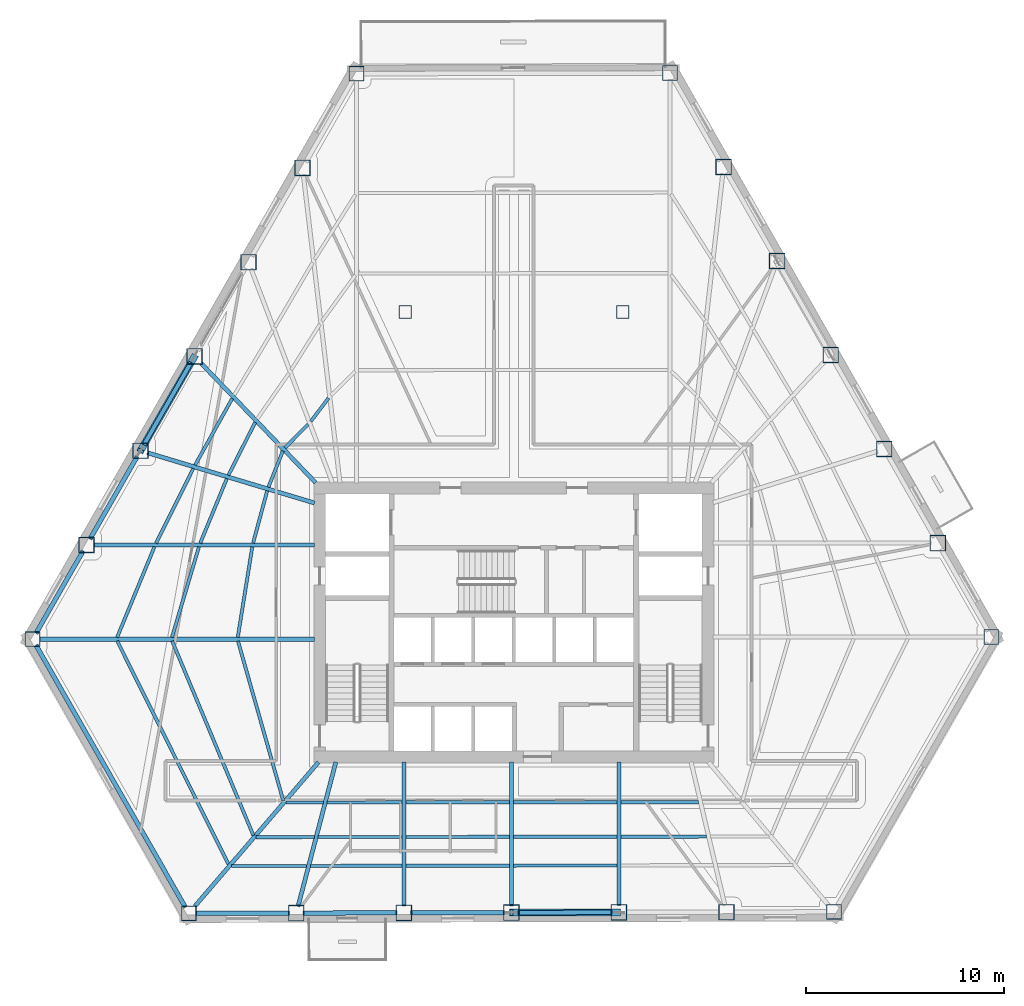
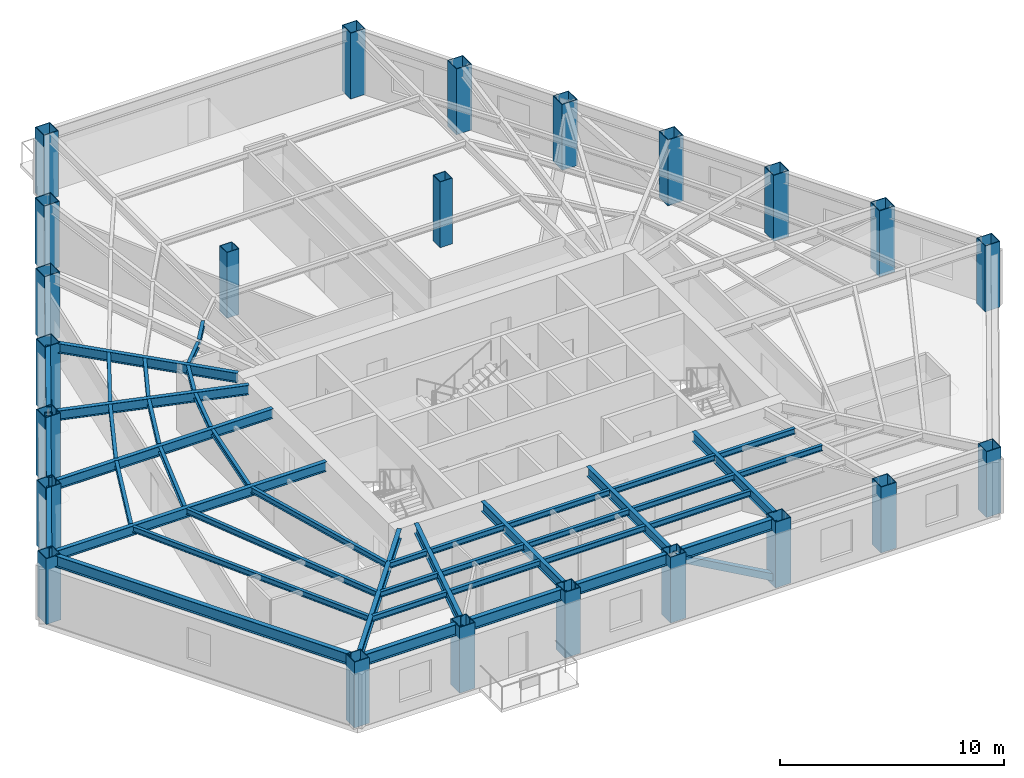
# One storey, part 1 of 14: 45 beams, 23 columns, 2 members.
"""IFC4 building model written with IfcOpenShell, lengths in metres."""

from ifc_helpers import new_model, si_unit, direction, frame, origin, origin_2d, place, context, subcontext, project, spatial, hollow_rectangle, i_section, extrude, material, material_profile, profile_set, type_object, element, save


model = new_model("IFC4")

# Units and contexts
model_context = context("Model", 3, precision=1e-05, world=origin(), true_north=direction((0.0, 1.0)))
body_context = subcontext(model_context, "Body", "Model", "MODEL_VIEW")
ifc_project = project(units=[si_unit("LENGTHUNIT", "METRE"), si_unit("AREAUNIT", "SQUARE_METRE"), si_unit("VOLUMEUNIT", "CUBIC_METRE"), si_unit("PLANEANGLEUNIT", "RADIAN"), si_unit("MASSUNIT", "GRAM", prefix="KILO")], contexts=[model_context])

# Site, building, storey
site_placement = place(None, origin())
site = spatial("IfcSite", under=ifc_project, at=site_placement, CompositionType="ELEMENT")
building_placement = place(site_placement, origin())
building = spatial("IfcBuilding", under=site, at=building_placement, Name="Kavelnor Concourse Tower", CompositionType="ELEMENT")
storey_placement = place(building_placement, frame((0.0, 0.0, 17.550048828125)))
storey = spatial("IfcBuildingStorey", under=building, at=storey_placement, Name="L04", CompositionType="ELEMENT", Elevation=17.550048828125)

# Columns
ifc_material = material(Name="Steel Grade 350", Category="steel")
ifc_material_profile_1 = material_profile(ifc_material, hollow_rectangle(XDim=0.760009765625, YDim=0.760009765625, WallThickness=0.034912109375, at=origin_2d()), Name="SHS 760x760x35")
ifc_profile_set_1 = profile_set([ifc_material_profile_1], Name="Steel Grade 350")
column_type_1 = type_object("IfcColumnType", Name="COL-FOLD-Z1", PredefinedType="COLUMN", material=ifc_profile_set_1)
for number, where, z_axis, x_axis, name in (
    (1, (30.041748046875, 43.85546875, 0.0), (0.0, 0.0, 1.0), (1.0, 0.0, 0.0), "L04 Perimeter Corner-Fold Column F0-B0"),
    (2, (13.656982421875, 15.25048828125, 0.0), (0.0, 0.0, 1.0), (1.0, 0.0, 0.0), "L04 Perimeter Corner-Fold Column F0-B6"),
    (3, (21.557861328125, 1.38720703125, 0.0), (0.0, 0.0, 1.0), (1.0, 0.0, 0.0), "L04 Perimeter Corner-Fold Column F1-B0"),
    (4, (54.193359375, 1.458251953125, 0.0), (0.0, 0.0, 1.0), (1.0, 0.0, 0.0), "L04 Perimeter Corner-Fold Column F1-B6"),
    (5, (62.156005859375, 15.359619140625, 0.0), (0.0, 0.0, 1.0), (1.0, 0.0, 0.0), "L04 Perimeter Corner-Fold Column F2-B0"),
    (6, (45.896484375, 43.889892578125, 0.0), (0.0, 0.0, 1.0), (1.0, 0.0, 0.0), "L04 Perimeter Corner-Fold Column F2-B6"),
):
    element("IfcColumn", number, at=place(storey_placement, frame(where, z_axis=z_axis, x_axis=x_axis)), inside=storey, type_object=column_type_1, Name=name, PredefinedType="COLUMN", context=body_context, shape_type="SweptSolid", body=[
        extrude(hollow_rectangle(XDim=0.760009765625, YDim=0.760009765625, WallThickness=0.034912109375, at=origin_2d()), origin(), (0.0, 0.0, 1.0), 3.58984375),
    ])
ifc_material_profile_2 = material_profile(ifc_material, hollow_rectangle(XDim=0.800048828125, YDim=0.800048828125, WallThickness=0.035888671875, at=origin_2d()), Name="SHS 800x800x36")
ifc_profile_set_2 = profile_set([ifc_material_profile_2], Name="Steel Grade 350")
column_type_2 = type_object("IfcColumnType", Name="COL-TUBE-Z1", PredefinedType="COLUMN", material=ifc_profile_set_2)
for number, where, z_axis, x_axis, name in (
    (7, (27.31103515625, 39.087890625, 0.0), (0.0, 0.0, 1.0), (1.0, 0.0, 0.0), "L04 Perimeter Framed-Tube Column F0-B1"),
    (8, (24.580078125, 34.3203125, 0.0), (0.0, 0.0, 1.0), (1.0, 0.0, 0.0), "L04 Perimeter Framed-Tube Column F0-B2"),
    (9, (21.849365234375, 29.552978515625, 0.0), (0.0, 0.0, 1.0), (1.0, 0.0, 0.0), "L04 Perimeter Framed-Tube Column F0-B3"),
    (10, (19.11865234375, 24.785400390625, 0.0), (0.0, 0.0, 1.0), (1.0, 0.0, 0.0), "L04 Perimeter Framed-Tube Column F0-B4"),
    (11, (16.387939453125, 20.01806640625, 0.0), (0.0, 0.0, 1.0), (1.0, 0.0, 0.0), "L04 Perimeter Framed-Tube Column F0-B5"),
    (12, (26.9970703125, 1.39892578125, 0.0), (0.0, 0.0, 1.0), (1.0, 0.0, 0.0), "L04 Perimeter Framed-Tube Column F1-B1"),
    (13, (32.436279296875, 1.410888671875, 0.0), (0.0, 0.0, 1.0), (1.0, 0.0, 0.0), "L04 Perimeter Framed-Tube Column F1-B2"),
    (14, (37.87548828125, 1.422607421875, 0.0), (0.0, 0.0, 1.0), (1.0, 0.0, 0.0), "L04 Perimeter Framed-Tube Column F1-B3"),
    (15, (43.31494140625, 1.4345703125, 0.0), (0.0, 0.0, 1.0), (1.0, 0.0, 0.0), "L04 Perimeter Framed-Tube Column F1-B4"),
    (16, (48.754150390625, 1.4462890625, 0.0), (0.0, 0.0, 1.0), (1.0, 0.0, 0.0), "L04 Perimeter Framed-Tube Column F1-B5"),
    (17, (59.446044921875, 20.114501953125, 0.0), (0.0, 0.0, 1.0), (1.0, 0.0, 0.0), "L04 Perimeter Framed-Tube Column F2-B1"),
    (18, (56.736083984375, 24.86962890625, 0.0), (0.0, 0.0, 1.0), (1.0, 0.0, 0.0), "L04 Perimeter Framed-Tube Column F2-B2"),
    (19, (54.026123046875, 29.624755859375, 0.0), (0.0, 0.0, 1.0), (1.0, 0.0, 0.0), "L04 Perimeter Framed-Tube Column F2-B3"),
    (20, (51.31640625, 34.3798828125, 0.0), (0.0, 0.0, 1.0), (1.0, 0.0, 0.0), "L04 Perimeter Framed-Tube Column F2-B4"),
    (21, (48.606201171875, 39.135009765625, 0.0), (0.0, 0.0, 1.0), (1.0, 0.0, 0.0), "L04 Perimeter Framed-Tube Column F2-B5"),
):
    element("IfcColumn", number, at=place(storey_placement, frame(where, z_axis=z_axis, x_axis=x_axis)), inside=storey, type_object=column_type_2, Name=name, PredefinedType="COLUMN", context=body_context, shape_type="SweptSolid", body=[
        extrude(hollow_rectangle(XDim=0.800048828125, YDim=0.800048828125, WallThickness=0.035888671875, at=origin_2d()), origin(), (0.0, 0.0, 1.0), 3.58984375),
    ])
ifc_material_profile_3 = material_profile(ifc_material, hollow_rectangle(XDim=0.639892578125, YDim=0.639892578125, WallThickness=0.028076171875, at=origin_2d()), Name="SHS 640x640x28")
ifc_profile_set_3 = profile_set([ifc_material_profile_3], Name="Steel Grade 350")
column_type_3 = type_object("IfcColumnType", Name="COL-TUBE-Z3", PredefinedType="COLUMN", material=ifc_profile_set_3)
for number, where, z_axis, x_axis, name in (
    (22, (32.5, 31.800048828125, 0.0), (0.0, 0.0, 1.0), (1.0, 0.0, 0.0), "L04 North Interior Gravity Column BC-NW"),
    (23, (43.5, 31.800048828125, 0.0), (0.0, 0.0, 1.0), (1.0, 0.0, 0.0), "L04 North Interior Gravity Column BC-NE"),
):
    element("IfcColumn", number, at=place(storey_placement, frame(where, z_axis=z_axis, x_axis=x_axis)), inside=storey, type_object=column_type_3, Name=name, PredefinedType="COLUMN", context=body_context, shape_type="SweptSolid", body=[
        extrude(hollow_rectangle(XDim=0.639892578125, YDim=0.639892578125, WallThickness=0.028076171875, at=origin_2d()), origin(), (0.0, 0.0, 1.0), 3.58984375),
    ])

# Beams
ifc_material_profile_4 = material_profile(ifc_material, i_section(OverallWidth=0.166015625, OverallDepth=0.306884765625, WebThickness=0.006591796875, FlangeThickness=0.01171875, at=origin_2d()), Name="310UB46")
ifc_profile_set_4 = profile_set([ifc_material_profile_4], Name="Steel Grade 350")
beam_type_1 = type_object("IfcBeamType", Name="BM-JOIST-310", PredefinedType="JOIST", material=ifc_profile_set_4)
beam_1_placement = place(storey_placement, frame((24.048583984375, 15.15576171875, 3.4365234375), z_axis=(0.27290689576, -0.962040449382, 0.0), x_axis=(0.962040449382, 0.27290689576, 0.0)))
element("IfcBeam", 24, at=beam_1_placement, inside=storey, type_object=beam_type_1, Name="L04 Secondary Composite Joist 01-1", PredefinedType="JOIST", context=body_context, shape_type="SweptSolid", body=[
    extrude(i_section(OverallWidth=0.166015625, OverallDepth=0.306884765625, WebThickness=0.006591796875, FlangeThickness=0.01171875, at=origin_2d()), origin(), (0.0, 0.0, 1.0), 8.391357421875),
])
beam_2_placement = place(storey_placement, frame((20.718017578125, 15.15966796875, 3.4365234375), z_axis=(0.385487312336, -0.922713136369, 0.0), x_axis=(0.922713136369, 0.385487312336, 0.0)))
element("IfcBeam", 25, at=beam_2_placement, inside=storey, type_object=beam_type_1, Name="L04 Secondary Composite Joist 01-2", PredefinedType="JOIST", context=body_context, shape_type="SweptSolid", body=[
    extrude(i_section(OverallWidth=0.166015625, OverallDepth=0.306884765625, WebThickness=0.006591796875, FlangeThickness=0.01171875, at=origin_2d()), origin(), (0.0, 0.0, 1.0), 10.654541015625),
])
beam_3_placement = place(storey_placement, frame((17.939453125, 15.162353515625, 3.4365234375), z_axis=(0.445936272374, -0.895064713292, 0.0), x_axis=(0.895064713292, 0.445936272374, 0.0)))
element("IfcBeam", 26, at=beam_3_placement, inside=storey, type_object=beam_type_1, Name="L04 Secondary Composite Joist 01-3", PredefinedType="JOIST", context=body_context, shape_type="SweptSolid", body=[
    extrude(i_section(OverallWidth=0.166015625, OverallDepth=0.306884765625, WebThickness=0.006591796875, FlangeThickness=0.01171875, at=origin_2d()), origin(), (0.0, 0.0, 1.0), 12.619384765625),
])
beam_4_placement = place(storey_placement, frame((26.464111328125, 6.988525390625, 3.4365234375), z_axis=(0.999994417326, 0.003341454164, 0.0), x_axis=(-0.003341454164, 0.999994417326, 0.0)))
element("IfcBeam", 27, at=beam_4_placement, inside=storey, type_object=beam_type_1, Name="L04 Secondary Composite Joist 02-1", PredefinedType="JOIST", context=body_context, shape_type="SweptSolid", body=[
    extrude(i_section(OverallWidth=0.166015625, OverallDepth=0.306884765625, WebThickness=0.006591796875, FlangeThickness=0.01171875, at=origin_2d()), origin(), (0.0, 0.0, 1.0), 1.899658203125),
])
beam_5_placement = place(storey_placement, frame((24.96142578125, 5.23779296875, 3.4365234375), z_axis=(0.999998180827, 0.001907443868, 0.0), x_axis=(-0.001907443868, 0.999998180827, 0.0)))
element("IfcBeam", 28, at=beam_5_placement, inside=storey, type_object=beam_type_1, Name="L04 Secondary Composite Joist 02-2", PredefinedType="JOIST", context=body_context, shape_type="SweptSolid", body=[
    extrude(i_section(OverallWidth=0.166015625, OverallDepth=0.306884765625, WebThickness=0.006591796875, FlangeThickness=0.01171875, at=origin_2d()), origin(), (0.0, 0.0, 1.0), 2.94384765625),
])
beam_6_placement = place(storey_placement, frame((23.70947265625, 3.779052734375, 3.4365234375), z_axis=(0.999999260294, 0.001216310476, 0.0), x_axis=(-0.001216310476, 0.999999260294, 0.0)))
element("IfcBeam", 29, at=beam_6_placement, inside=storey, type_object=beam_type_1, Name="L04 Secondary Composite Joist 02-3", PredefinedType="JOIST", context=body_context, shape_type="SweptSolid", body=[
    extrude(i_section(OverallWidth=0.166015625, OverallDepth=0.306884765625, WebThickness=0.006591796875, FlangeThickness=0.01171875, at=origin_2d()), origin(), (0.0, 0.0, 1.0), 3.813720703125),
])
beam_7_placement = place(storey_placement, frame((28.560791015625, 6.9951171875, 3.4365234375), z_axis=(0.999999465223, 0.001034192453, 0.0), x_axis=(-0.001034192453, 0.999999465223, 0.0)))
element("IfcBeam", 30, at=beam_7_placement, inside=storey, type_object=beam_type_1, Name="L04 Secondary Composite Joist 03-1", PredefinedType="JOIST", context=body_context, shape_type="SweptSolid", body=[
    extrude(i_section(OverallWidth=0.166015625, OverallDepth=0.306884765625, WebThickness=0.006591796875, FlangeThickness=0.01171875, at=origin_2d()), origin(), (0.0, 0.0, 1.0), 3.777099609375),
])
beam_8_placement = place(storey_placement, frame((28.102294921875, 5.24365234375, 3.4365234375), z_axis=(0.999999043152, 0.001383363712, 0.0), x_axis=(-0.001383363712, 0.999999043152, 0.0)))
element("IfcBeam", 31, at=beam_8_placement, inside=storey, type_object=beam_type_1, Name="L04 Secondary Composite Joist 03-2", PredefinedType="JOIST", context=body_context, shape_type="SweptSolid", body=[
    extrude(i_section(OverallWidth=0.166015625, OverallDepth=0.306884765625, WebThickness=0.006591796875, FlangeThickness=0.01171875, at=origin_2d()), origin(), (0.0, 0.0, 1.0), 4.235595703125),
])
beam_9_placement = place(storey_placement, frame((27.72021484375, 3.783935546875, 3.4365234375), z_axis=(0.999998568794, 0.001691866036, 0.0), x_axis=(-0.001691866036, 0.999998568794, 0.0)))
element("IfcBeam", 32, at=beam_9_placement, inside=storey, type_object=beam_type_1, Name="L04 Secondary Composite Joist 03-3", PredefinedType="JOIST", context=body_context, shape_type="SweptSolid", body=[
    extrude(i_section(OverallWidth=0.166015625, OverallDepth=0.306884765625, WebThickness=0.006591796875, FlangeThickness=0.01171875, at=origin_2d()), origin(), (0.0, 0.0, 1.0), 4.61767578125),
])
for number, where, z_axis, x_axis, name in (
    (33, (32.534912109375, 6.9990234375, 3.4365234375), (0.999999816721, 0.000605439531, 0.0), (-0.000605439531, 0.999999816721, 0.0), "L04 Secondary Composite Joist 04-1"),
    (34, (32.534912109375, 5.249755859375, 3.4365234375), (0.999999375335, 0.001117734026, 0.0), (-0.001117734026, 0.999999375335, 0.0), "L04 Secondary Composite Joist 04-2"),
    (35, (32.534912109375, 3.7919921875, 3.4365234375), (0.999998746333, 0.001583455541, 0.0), (-0.001583455541, 0.999998746333, 0.0), "L04 Secondary Composite Joist 04-3"),
    (36, (37.97412109375, 7.00244140625, 3.4365234375), (0.999999816721, 0.000605439531, 0.0), (-0.000605439531, 0.999999816721, 0.0), "L04 Secondary Composite Joist 05-1"),
    (37, (37.97412109375, 5.255859375, 3.4365234375), (0.999999375335, 0.001117734026, 0.0), (-0.001117734026, 0.999999375335, 0.0), "L04 Secondary Composite Joist 05-2"),
    (38, (37.97412109375, 3.800537109375, 3.4365234375), (0.999998818994, 0.001536883431, 0.0), (-0.001536883431, 0.999998818994, 0.0), "L04 Secondary Composite Joist 05-3"),
):
    element("IfcBeam", number, at=place(storey_placement, frame(where, z_axis=z_axis, x_axis=x_axis)), inside=storey, type_object=beam_type_1, Name=name, PredefinedType="JOIST", context=body_context, shape_type="SweptSolid", body=[
        extrude(i_section(OverallWidth=0.166015625, OverallDepth=0.306884765625, WebThickness=0.006591796875, FlangeThickness=0.01171875, at=origin_2d()), origin(), (0.0, 0.0, 1.0), 5.2421875),
    ])
beam_10_placement = place(storey_placement, frame((43.413330078125, 7.005615234375, 3.4365234375), z_axis=(0.999999766657, 0.000683144792, 0.0), x_axis=(-0.000683144792, 0.999999766657, 0.0)))
element("IfcBeam", 39, at=beam_10_placement, inside=storey, type_object=beam_type_1, Name="L04 Secondary Composite Joist 06-1", PredefinedType="JOIST", context=body_context, shape_type="SweptSolid", body=[
    extrude(i_section(OverallWidth=0.166015625, OverallDepth=0.306884765625, WebThickness=0.006591796875, FlangeThickness=0.01171875, at=origin_2d()), origin(), (0.0, 0.0, 1.0), 3.93115234375),
])
beam_11_placement = place(storey_placement, frame((43.413330078125, 5.26220703125, 3.4365234375), z_axis=(0.999999089184, 0.001349678222, 0.0), x_axis=(-0.001349678222, 0.999999089184, 0.0)))
element("IfcBeam", 40, at=beam_11_placement, inside=storey, type_object=beam_type_1, Name="L04 Secondary Composite Joist 06-2", PredefinedType="JOIST", context=body_context, shape_type="SweptSolid", body=[
    extrude(i_section(OverallWidth=0.166015625, OverallDepth=0.306884765625, WebThickness=0.006591796875, FlangeThickness=0.01171875, at=origin_2d()), origin(), (0.0, 0.0, 1.0), 4.34130859375),
])
beam_12_placement = place(storey_placement, frame((28.627197265625, 27.4462890625, 3.4365234375), z_axis=(-0.605505922425, -0.795840799349, 0.0), x_axis=(0.795840799349, -0.605505922425, 0.0)))
element("IfcBeam", 41, at=beam_12_placement, inside=storey, type_object=beam_type_1, Name="L04 Secondary Composite Joist 17-1", PredefinedType="JOIST", context=body_context, shape_type="SweptSolid", body=[
    extrude(i_section(OverallWidth=0.166015625, OverallDepth=0.306884765625, WebThickness=0.006591796875, FlangeThickness=0.01171875, at=origin_2d()), origin(), (0.0, 0.0, 1.0), 1.47900390625),
])
beam_13_placement = place(storey_placement, frame((27.6025390625, 26.12109375, 3.4365234375), z_axis=(-0.704630582805, -0.709574338442, 0.0), x_axis=(0.709574338442, -0.704630582805, 0.0)))
element("IfcBeam", 42, at=beam_13_placement, inside=storey, type_object=beam_type_1, Name="L04 Secondary Composite Joist 18-1", PredefinedType="JOIST", context=body_context, shape_type="SweptSolid", body=[
    extrude(i_section(OverallWidth=0.166015625, OverallDepth=0.306884765625, WebThickness=0.006591796875, FlangeThickness=0.01171875, at=origin_2d()), origin(), (0.0, 0.0, 1.0), 1.678955078125),
])
beam_14_placement = place(storey_placement, frame((26.313720703125, 24.768310546875, 3.4365234375), z_axis=(-0.370169183739, -0.928964356372, 0.0), x_axis=(0.928964356372, -0.370169183739, 0.0)))
element("IfcBeam", 43, at=beam_14_placement, inside=storey, type_object=beam_type_1, Name="L04 Secondary Composite Joist 19-1", PredefinedType="JOIST", context=body_context, shape_type="SweptSolid", body=[
    extrude(i_section(OverallWidth=0.166015625, OverallDepth=0.306884765625, WebThickness=0.006591796875, FlangeThickness=0.01171875, at=origin_2d()), origin(), (0.0, 0.0, 1.0), 1.96484375),
])
beam_15_placement = place(storey_placement, frame((24.91748046875, 26.21923828125, 3.4365234375), z_axis=(-0.452036631811, -0.89199937416, 0.0), x_axis=(0.89199937416, -0.452036631811, 0.0)))
element("IfcBeam", 44, at=beam_15_placement, inside=storey, type_object=beam_type_1, Name="L04 Secondary Composite Joist 19-2", PredefinedType="JOIST", context=body_context, shape_type="SweptSolid", body=[
    extrude(i_section(OverallWidth=0.166015625, OverallDepth=0.306884765625, WebThickness=0.006591796875, FlangeThickness=0.01171875, at=origin_2d()), origin(), (0.0, 0.0, 1.0), 2.99267578125),
])
beam_16_placement = place(storey_placement, frame((23.75732421875, 27.42724609375, 3.4365234375), z_axis=(-0.487237170177, -0.87326968343, 0.0), x_axis=(0.87326968343, -0.487237170177, 0.0)))
element("IfcBeam", 45, at=beam_16_placement, inside=storey, type_object=beam_type_1, Name="L04 Secondary Composite Joist 19-3", PredefinedType="JOIST", context=body_context, shape_type="SweptSolid", body=[
    extrude(i_section(OverallWidth=0.166015625, OverallDepth=0.306884765625, WebThickness=0.006591796875, FlangeThickness=0.01171875, at=origin_2d()), origin(), (0.0, 0.0, 1.0), 3.85986328125),
])
beam_17_placement = place(storey_placement, frame((25.5244140625, 22.756591796875, 3.4365234375), z_axis=(-0.260286845721, -0.965531334522, 0.0), x_axis=(0.965531334522, -0.260286845721, 0.0)))
element("IfcBeam", 46, at=beam_17_placement, inside=storey, type_object=beam_type_1, Name="L04 Secondary Composite Joist 20-1", PredefinedType="JOIST", context=body_context, shape_type="SweptSolid", body=[
    extrude(i_section(OverallWidth=0.166015625, OverallDepth=0.306884765625, WebThickness=0.006591796875, FlangeThickness=0.01171875, at=origin_2d()), origin(), (0.0, 0.0, 1.0), 2.738037109375),
])
beam_18_placement = place(storey_placement, frame((23.482666015625, 23.37109375, 3.4365234375), z_axis=(-0.381188262357, -0.924497435714, 0.0), x_axis=(0.924497435714, -0.381188262357, 0.0)))
element("IfcBeam", 47, at=beam_18_placement, inside=storey, type_object=beam_type_1, Name="L04 Secondary Composite Joist 20-2", PredefinedType="JOIST", context=body_context, shape_type="SweptSolid", body=[
    extrude(i_section(OverallWidth=0.166015625, OverallDepth=0.306884765625, WebThickness=0.006591796875, FlangeThickness=0.01171875, at=origin_2d()), origin(), (0.0, 0.0, 1.0), 3.5283203125),
])
beam_19_placement = place(storey_placement, frame((21.78466796875, 23.882568359375, 3.4365234375), z_axis=(-0.445499537944, -0.895282168756, 0.0), x_axis=(0.895282168756, -0.445499537944, 0.0)))
element("IfcBeam", 48, at=beam_19_placement, inside=storey, type_object=beam_type_1, Name="L04 Secondary Composite Joist 20-3", PredefinedType="JOIST", context=body_context, shape_type="SweptSolid", body=[
    extrude(i_section(OverallWidth=0.166015625, OverallDepth=0.306884765625, WebThickness=0.006591796875, FlangeThickness=0.01171875, at=origin_2d()), origin(), (0.0, 0.0, 1.0), 4.218017578125),
])
beam_20_placement = place(storey_placement, frame((24.7705078125, 19.920654296875, 3.4365234375), z_axis=(-0.158360575132, -0.987381348945, 0.0), x_axis=(0.987381348945, -0.158360575132, 0.0)))
element("IfcBeam", 49, at=beam_20_placement, inside=storey, type_object=beam_type_1, Name="L04 Secondary Composite Joist 21-1", PredefinedType="JOIST", context=body_context, shape_type="SweptSolid", body=[
    extrude(i_section(OverallWidth=0.166015625, OverallDepth=0.306884765625, WebThickness=0.006591796875, FlangeThickness=0.01171875, at=origin_2d()), origin(), (0.0, 0.0, 1.0), 4.631103515625),
])
beam_21_placement = place(storey_placement, frame((22.072021484375, 19.923583984375, 3.4365234375), z_axis=(-0.285462604898, -0.958389848238, 0.0), x_axis=(0.958389848238, -0.285462604898, 0.0)))
element("IfcBeam", 50, at=beam_21_placement, inside=storey, type_object=beam_type_1, Name="L04 Secondary Composite Joist 21-2", PredefinedType="JOIST", context=body_context, shape_type="SweptSolid", body=[
    extrude(i_section(OverallWidth=0.166015625, OverallDepth=0.306884765625, WebThickness=0.006591796875, FlangeThickness=0.01171875, at=origin_2d()), origin(), (0.0, 0.0, 1.0), 4.77734375),
])
beam_22_placement = place(storey_placement, frame((19.82421875, 19.927001953125, 3.4365234375), z_axis=(-0.38126467199, -0.924465926842, 0.0), x_axis=(0.924465926842, -0.38126467199, 0.0)))
element("IfcBeam", 51, at=beam_22_placement, inside=storey, type_object=beam_type_1, Name="L04 Secondary Composite Joist 21-3", PredefinedType="JOIST", context=body_context, shape_type="SweptSolid", body=[
    extrude(i_section(OverallWidth=0.166015625, OverallDepth=0.306884765625, WebThickness=0.006591796875, FlangeThickness=0.01171875, at=origin_2d()), origin(), (0.0, 0.0, 1.0), 4.960205078125),
])
ifc_material_profile_5 = material_profile(ifc_material, i_section(OverallWidth=0.208984375, OverallDepth=0.528076171875, WebThickness=0.009521484375, FlangeThickness=0.01318359375, at=origin_2d()), Name="530UB82")
ifc_profile_set_5 = profile_set([ifc_material_profile_5], Name="Steel Grade 350")
beam_type_2 = type_object("IfcBeamType", Name="BM-PRIMARY-530", PredefinedType="BEAM", material=ifc_profile_set_5)
beam_23_placement = place(storey_placement, frame((27.96923828125, 23.171142578125, 3.325927734375), z_axis=(-0.692137597953, 0.72176557517, 0.0), x_axis=(-0.72176557517, -0.692137597953, 0.0)))
element("IfcBeam", 52, at=beam_23_placement, inside=storey, type_object=beam_type_2, Name="L04 Primary Floor Girder F0-B3", PredefinedType="BEAM", context=body_context, shape_type="SweptSolid", body=[
    extrude(i_section(OverallWidth=0.208984375, OverallDepth=0.528076171875, WebThickness=0.009521484375, FlangeThickness=0.01318359375, at=origin_2d()), origin(), (0.0, 0.0, 1.0), 8.35546875),
])
beam_24_placement = place(storey_placement, frame((27.918212890625, 22.139404296875, 3.325927734375), z_axis=(-0.957635109026, 0.287984371037, 0.0), x_axis=(-0.287984371037, -0.957635109026, 0.0)))
element("IfcBeam", 53, at=beam_24_placement, inside=storey, type_object=beam_type_2, Name="L04 Primary Floor Girder F0-B4", PredefinedType="BEAM", context=body_context, shape_type="SweptSolid", body=[
    extrude(i_section(OverallWidth=0.208984375, OverallDepth=0.528076171875, WebThickness=0.009521484375, FlangeThickness=0.01318359375, at=origin_2d()), origin(), (0.0, 0.0, 1.0), 8.83203125),
])
beam_25_placement = place(storey_placement, frame((27.919921875, 20.01806640625, 3.325927734375), z_axis=(-1.0, 0.0, 0.0), x_axis=(0.0, -1.0, 0.0)))
element("IfcBeam", 54, at=beam_25_placement, inside=storey, type_object=beam_type_2, Name="L04 Primary Floor Girder F0-B5", PredefinedType="BEAM", context=body_context, shape_type="SweptSolid", body=[
    extrude(i_section(OverallWidth=0.208984375, OverallDepth=0.528076171875, WebThickness=0.009521484375, FlangeThickness=0.01318359375, at=origin_2d()), origin(), (0.0, 0.0, 1.0), 11.192138671875),
])
beam_26_placement = place(storey_placement, frame((27.919921875, 15.25048828125, 3.325927734375), z_axis=(-1.0, 0.0, 0.0), x_axis=(0.0, -1.0, 0.0)))
element("IfcBeam", 55, at=beam_26_placement, inside=storey, type_object=beam_type_2, Name="L04 Primary Floor Girder F0-B6", PredefinedType="BEAM", context=body_context, shape_type="SweptSolid", body=[
    extrude(i_section(OverallWidth=0.208984375, OverallDepth=0.528076171875, WebThickness=0.009521484375, FlangeThickness=0.01318359375, at=origin_2d()), origin(), (0.0, 0.0, 1.0), 13.9228515625),
])
beam_27_placement = place(storey_placement, frame((28.118408203125, 9.030517578125, 3.325927734375), z_axis=(-0.651316237939, -0.758806403635, 0.0), x_axis=(0.758806403635, -0.651316237939, 0.0)))
element("IfcBeam", 56, at=beam_27_placement, inside=storey, type_object=beam_type_2, Name="L04 Primary Floor Girder F1-B0", PredefinedType="BEAM", context=body_context, shape_type="SweptSolid", body=[
    extrude(i_section(OverallWidth=0.208984375, OverallDepth=0.528076171875, WebThickness=0.009521484375, FlangeThickness=0.01318359375, at=origin_2d()), origin(), (0.0, 0.0, 1.0), 9.612060546875),
])
beam_28_placement = place(storey_placement, frame((28.997314453125, 9.038818359375, 3.325927734375), z_axis=(-0.253279358656, -0.967393180914, 0.0), x_axis=(0.967393180914, -0.253279358656, 0.0)))
element("IfcBeam", 57, at=beam_28_placement, inside=storey, type_object=beam_type_2, Name="L04 Primary Floor Girder F1-B1", PredefinedType="BEAM", context=body_context, shape_type="SweptSolid", body=[
    extrude(i_section(OverallWidth=0.208984375, OverallDepth=0.528076171875, WebThickness=0.009521484375, FlangeThickness=0.01318359375, at=origin_2d()), origin(), (0.0, 0.0, 1.0), 7.544677734375),
])
beam_29_placement = place(storey_placement, frame((32.436279296875, 9.0400390625, 3.325927734375), z_axis=(0.0, -1.0, 0.0), x_axis=(1.0, 0.0, 0.0)))
element("IfcBeam", 58, at=beam_29_placement, inside=storey, type_object=beam_type_2, Name="L04 Primary Floor Girder F1-B2", PredefinedType="BEAM", context=body_context, shape_type="SweptSolid", body=[
    extrude(i_section(OverallWidth=0.208984375, OverallDepth=0.528076171875, WebThickness=0.009521484375, FlangeThickness=0.01318359375, at=origin_2d()), origin(), (0.0, 0.0, 1.0), 7.2890625),
])
beam_30_placement = place(storey_placement, frame((37.87548828125, 9.0400390625, 3.325927734375), z_axis=(0.0, -1.0, 0.0), x_axis=(1.0, 0.0, 0.0)))
element("IfcBeam", 59, at=beam_30_placement, inside=storey, type_object=beam_type_2, Name="L04 Primary Floor Girder F1-B3", PredefinedType="BEAM", context=body_context, shape_type="SweptSolid", body=[
    extrude(i_section(OverallWidth=0.208984375, OverallDepth=0.528076171875, WebThickness=0.009521484375, FlangeThickness=0.01318359375, at=origin_2d()), origin(), (0.0, 0.0, 1.0), 7.27734375),
])
beam_31_placement = place(storey_placement, frame((43.31494140625, 9.0400390625, 3.325927734375), z_axis=(0.0, -1.0, 0.0), x_axis=(1.0, 0.0, 0.0)))
element("IfcBeam", 60, at=beam_31_placement, inside=storey, type_object=beam_type_2, Name="L04 Primary Floor Girder F1-B4", PredefinedType="BEAM", context=body_context, shape_type="SweptSolid", body=[
    extrude(i_section(OverallWidth=0.208984375, OverallDepth=0.528076171875, WebThickness=0.009521484375, FlangeThickness=0.01318359375, at=origin_2d()), origin(), (0.0, 0.0, 1.0), 7.265625),
])
ifc_material_profile_6 = material_profile(ifc_material, i_section(OverallWidth=0.22900390625, OverallDepth=0.612060546875, WebThickness=0.011962890625, FlangeThickness=0.01953125, at=origin_2d()), Name="610UB125")
ifc_profile_set_6 = profile_set([ifc_material_profile_6], Name="Steel Grade 350")
beam_type_3 = type_object("IfcBeamType", Name="BM-SPANDREL-Z1", PredefinedType="SPANDREL", material=ifc_profile_set_6)
for number, where, z_axis, x_axis, name in (
    (61, (21.677978515625, 29.253662109375, 3.283935546875), (-0.497014344465, -0.867742324308, 0.0), (0.867742324308, -0.497014344465, 0.0), "L04 Perimeter Tube Spandrel Beam F0-B3"),
    (62, (18.947265625, 24.486083984375, 3.283935546875), (-0.497052608888, -0.867720406581, 0.0), (0.867720406581, -0.497052608888, 0.0), "L04 Perimeter Tube Spandrel Beam F0-B4"),
    (63, (16.21630859375, 19.718505859375, 3.283935546875), (-0.497014344465, -0.867742324308, 0.0), (0.867742324308, -0.497014344465, 0.0), "L04 Perimeter Tube Spandrel Beam F0-B5"),
):
    element("IfcBeam", number, at=place(storey_placement, frame(where, z_axis=z_axis, x_axis=x_axis)), inside=storey, type_object=beam_type_3, Name=name, PredefinedType="SPANDREL", context=body_context, shape_type="SweptSolid", body=[
        extrude(i_section(OverallWidth=0.22900390625, OverallDepth=0.612060546875, WebThickness=0.011962890625, FlangeThickness=0.01953125, at=origin_2d()), origin(), (0.0, 0.0, 1.0), 4.80419921875),
    ])
for number, where, z_axis, x_axis, name in (
    (64, (21.90283203125, 1.387939453125, 3.283935546875), (0.99999766926, 0.002159044986, 0.0), (-0.002159044986, 0.99999766926, 0.0), "L04 Perimeter Tube Spandrel Beam F1-B0"),
    (65, (27.342041015625, 1.39990234375, 3.283935546875), (0.99999766926, 0.002159044986, 0.0), (-0.002159044986, 0.99999766926, 0.0), "L04 Perimeter Tube Spandrel Beam F1-B1"),
):
    element("IfcBeam", number, at=place(storey_placement, frame(where, z_axis=z_axis, x_axis=x_axis)), inside=storey, type_object=beam_type_3, Name=name, PredefinedType="SPANDREL", context=body_context, shape_type="SweptSolid", body=[
        extrude(i_section(OverallWidth=0.22900390625, OverallDepth=0.612060546875, WebThickness=0.011962890625, FlangeThickness=0.01953125, at=origin_2d()), origin(), (0.0, 0.0, 1.0), 4.749267578125),
    ])
beam_32_placement = place(storey_placement, frame((32.781494140625, 1.41162109375, 3.283935546875), z_axis=(0.9999975567, 0.002210564206, 0.0), x_axis=(-0.002210564206, 0.9999975567, 0.0)))
element("IfcBeam", 66, at=beam_32_placement, inside=storey, type_object=beam_type_3, Name="L04 Perimeter Tube Spandrel Beam F1-B2", PredefinedType="SPANDREL", context=body_context, shape_type="SweptSolid", body=[
    extrude(i_section(OverallWidth=0.22900390625, OverallDepth=0.612060546875, WebThickness=0.011962890625, FlangeThickness=0.01953125, at=origin_2d()), origin(), (0.0, 0.0, 1.0), 4.7490234375),
])
beam_33_placement = place(storey_placement, frame((38.220703125, 1.42333984375, 3.283935546875), z_axis=(0.999997556951, 0.002210450571, 0.0), x_axis=(-0.002210450571, 0.999997556951, 0.0)))
element("IfcBeam", 67, at=beam_33_placement, inside=storey, type_object=beam_type_3, Name="L04 Perimeter Tube Spandrel Beam F1-B3", PredefinedType="SPANDREL", context=body_context, shape_type="SweptSolid", body=[
    extrude(i_section(OverallWidth=0.22900390625, OverallDepth=0.612060546875, WebThickness=0.011962890625, FlangeThickness=0.01953125, at=origin_2d()), origin(), (0.0, 0.0, 1.0), 4.749267578125),
])
beam_34_placement = place(storey_placement, frame((13.827880859375, 14.95068359375, 3.283935546875), z_axis=(0.495155245182, -0.868804513782, 0.0), x_axis=(0.868804513782, 0.495155245182, 0.0)))
element("IfcBeam", 68, at=beam_34_placement, inside=storey, type_object=beam_type_3, Name="L04 Chamfer Facet Spandrel Beam C1", PredefinedType="SPANDREL", context=body_context, shape_type="SweptSolid", body=[
    extrude(i_section(OverallWidth=0.22900390625, OverallDepth=0.612060546875, WebThickness=0.011962890625, FlangeThickness=0.01953125, at=origin_2d()), origin(), (0.0, 0.0, 1.0), 15.2666015625),
])

# Members
ifc_material_profile_7 = material_profile(ifc_material, hollow_rectangle(XDim=0.35009765625, YDim=0.35009765625, WallThickness=0.02001953125, at=origin_2d()), Name="SHS 350x350x20")
ifc_profile_set_7 = profile_set([ifc_material_profile_7], Name="Steel Grade 350")
member_type = type_object("IfcMemberType", Name="MBR-TUBE-DIAG-Z1", PredefinedType="BRACE", material=ifc_profile_set_7)
member_1_placement = place(storey_placement, frame((21.849365234375, 29.552978515625, 0.219970703125), z_axis=(-0.43407868563, -0.757862188019, 0.487052973148), x_axis=(0.867742285026, -0.497014413049, 0.0)))
element("IfcMember", 69, at=member_1_placement, inside=storey, type_object=member_type, Name="L04 Framed-Tube Bracing Diagonal F0-B3", PredefinedType="BRACE", context=body_context, shape_type="SweptSolid", body=[
    extrude(hollow_rectangle(XDim=0.35009765625, YDim=0.35009765625, WallThickness=0.02001953125, at=origin_2d()), origin(), (0.0, 0.0, 1.0), 6.290771484375),
])
member_2_placement = place(storey_placement, frame((43.31494140625, 1.4345703125, 0.219970703125), z_axis=(-0.871281357377, -0.00191619329, 0.490780118271), x_axis=(0.002199276548, -0.999997581588, 0.0)))
element("IfcMember", 70, at=member_2_placement, inside=storey, type_object=member_type, Name="L04 Framed-Tube Bracing Diagonal F1-B3", PredefinedType="BRACE", context=body_context, shape_type="SweptSolid", body=[
    extrude(hollow_rectangle(XDim=0.35009765625, YDim=0.35009765625, WallThickness=0.02001953125, at=origin_2d()), origin(), (0.0, 0.0, 1.0), 6.2431640625),
])

save(model, "model.ifc")
